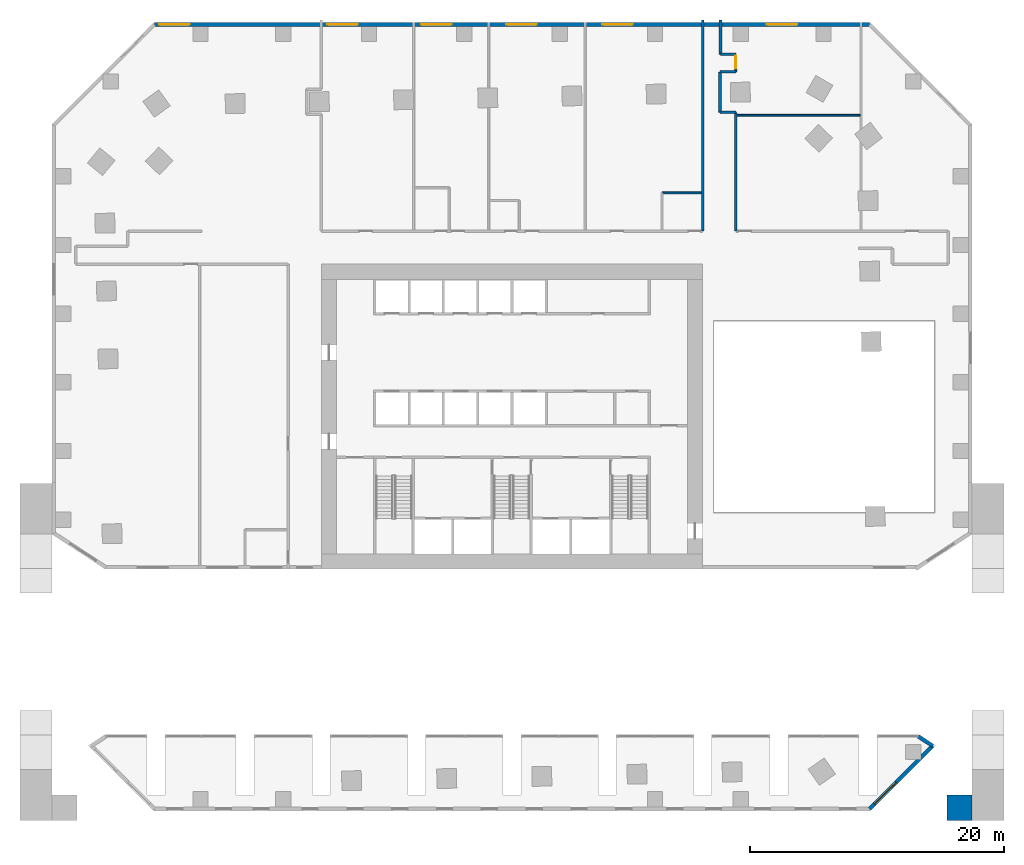
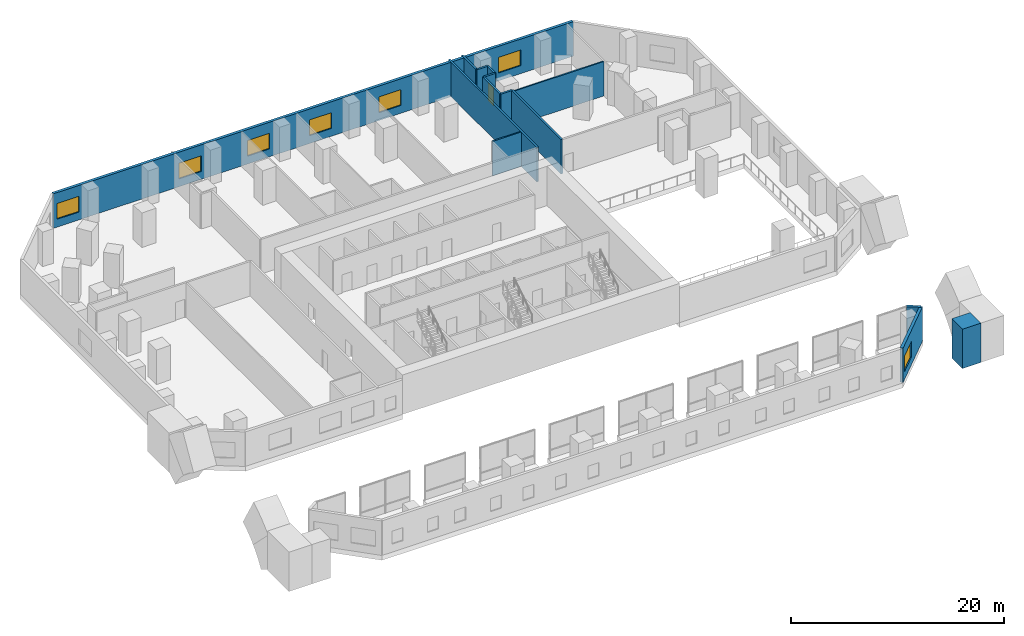
# One storey, part 9 of 12: 14 walls, 7 windows, 1 door, 8 openings.
"""IFC4 building model written with IfcOpenShell, lengths in metres."""

from ifc_helpers import new_model, si_unit, direction, frame, frame_2d, origin, place, context, subcontext, project, spatial, rectangle, extrude, material, layer, layer_set, type_object, element, fill, save


model = new_model("IFC4")

# Units and contexts
model_context = context("Model", 3, precision=1e-05, world=origin(), true_north=direction((0.0, 1.0)))
body_context = subcontext(model_context, "Body", "Model", "MODEL_VIEW")
ifc_project = project(units=[si_unit("LENGTHUNIT", "METRE"), si_unit("AREAUNIT", "SQUARE_METRE"), si_unit("VOLUMEUNIT", "CUBIC_METRE"), si_unit("PLANEANGLEUNIT", "RADIAN"), si_unit("MASSUNIT", "GRAM", prefix="KILO")], contexts=[model_context])

# Site, building, storey
site_placement = place(None, origin())
site = spatial("IfcSite", under=ifc_project, at=site_placement, CompositionType="ELEMENT")
building_placement = place(site_placement, origin())
building = spatial("IfcBuilding", under=site, at=building_placement, Name="Mangrove Gate Tower", CompositionType="ELEMENT")
storey_placement = place(building_placement, frame((0.0, 0.0, 16.0)))
storey = spatial("IfcBuildingStorey", under=building, at=storey_placement, Name="L03", CompositionType="ELEMENT", Elevation=16.0)

# Walls
ifc_material_1 = material(Name="Gypsum board on steel stud, EI 60", Category="steel")
ifc_layer_1 = layer(ifc_material_1, 0.199951171875)
ifc_layer_set_1 = layer_set([ifc_layer_1], Name="Corridor wall EI 60")
wall_type_1 = type_object("IfcWallType", Name="Corridor wall EI 60", PredefinedType="PARTITIONING", material=ifc_layer_set_1)
wall_1_placement = place(storey_placement, frame((15.0, 14.60009765625, 0.0), z_axis=(0.0, 0.0, 1.0), x_axis=(0.0, 1.0, 0.0)))
element("IfcWall", 1, at=wall_1_placement, inside=storey, type_object=wall_type_1, Name="WALL-L03-022", PredefinedType="PARTITIONING", context=body_context, shape_type="SweptSolid", body=[
    extrude(rectangle(XDim=16.599853515625, YDim=0.199951171875, at=frame_2d((8.2998046875, 0.0))), origin(), (0.0, 0.0, 1.0), 3.949951171875),
])
wall_2_placement = place(storey_placement, frame((17.60009765625, 14.60009765625, 0.0), z_axis=(0.0, 0.0, 1.0), x_axis=(0.0, 1.0, 0.0)))
element("IfcWall", 2, at=wall_2_placement, inside=storey, type_object=wall_type_1, Name="WALL-L03-024", PredefinedType="PARTITIONING", context=body_context, shape_type="SweptSolid", body=[
    extrude(rectangle(XDim=9.325927734375, YDim=0.199951171875, at=frame_2d((4.6630859375, 0.0))), origin(), (0.0, 0.0, 1.0), 3.949951171875),
])
wall_3_placement = place(storey_placement, frame((16.360107421875, 23.926025390625, 0.0), z_axis=(0.0, 0.0, 1.0), x_axis=(0.0, 1.0, 0.0)))
element("IfcWall", 3, at=wall_3_placement, inside=storey, type_object=wall_type_1, Name="WALL-L03-032", PredefinedType="PARTITIONING", context=body_context, shape_type="SweptSolid", body=[
    extrude(rectangle(XDim=3.199951171875, YDim=0.199951171875, at=frame_2d((1.60009765625, 0.0))), origin(), (0.0, 0.0, 1.0), 3.949951171875),
])
wall_4_placement = place(storey_placement, frame((16.364013671875, 23.929931640625, 0.0), z_axis=(0.0, 0.0, 1.0), x_axis=(1.0, 0.0, 0.0)))
element("IfcWall", 4, at=wall_4_placement, inside=storey, type_object=wall_type_1, Name="WALL-L03-033", PredefinedType="PARTITIONING", context=body_context, shape_type="SweptSolid", body=[
    extrude(rectangle(XDim=1.236083984375, YDim=0.199951171875, at=frame_2d((0.6181640625, 0.0))), origin(), (0.0, 0.0, 1.0), 3.949951171875),
])

# Wall, opening, door
wall_5_placement = place(storey_placement, frame((17.60009765625, 27.1259765625, 0.0), z_axis=(0.0, 0.0, 1.0), x_axis=(0.0, 1.0, 0.0)))
wall_5 = element("IfcWall", 5, at=wall_5_placement, inside=storey, type_object=wall_type_1, Name="WALL-L03-036", PredefinedType="PARTITIONING", context=body_context, shape_type="SweptSolid", body=[
    extrude(rectangle(XDim=1.3740234375, YDim=0.199951171875, at=frame_2d((0.68701171875, 0.0))), origin(), (0.0, 0.0, 1.0), 3.949951171875),
])
opening_1_placement = place(wall_5_placement, frame((0.27392578125, 0.0, 0.0)))
opening_1 = element("IfcOpeningElement", 6, at=opening_1_placement, cuts=wall_5, Name="Opening AD", PredefinedType="OPENING", context=body_context, shape_type="SweptSolid", body=[
    extrude(rectangle(XDim=1.0, YDim=2.10009765625, at=frame_2d((0.5, 1.050048828125))), frame((0.0, 0.10986328125, 0.0), z_axis=(0.0, -1.0, 0.0), x_axis=(1.0, 0.0, 0.0)), (0.0, 0.0, 1.0), 0.219970703125),
])
ifc_material_2 = material(Name="Timber door leaf", Category="wood")
door_type = type_object("IfcDoorType", Name="Amenity door 1000", OperationType="SINGLE_SWING_LEFT", PredefinedType="DOOR", material=ifc_material_2)
door_placement = place(opening_1_placement, origin())
door = element("IfcDoor", 7, at=door_placement, inside=storey, type_object=door_type, Name="DOOR-L03-POD-08b", OperationType="SINGLE_SWING_LEFT", OverallHeight=2.10009765625, OverallWidth=1.0, PredefinedType="DOOR", context=body_context, shape_type="SweptSolid", body=[
    extrude(rectangle(XDim=1.0, YDim=2.10009765625, at=frame_2d((0.5, 1.050048828125))), frame((0.0, 0.02490234375, 0.0), z_axis=(0.0, -1.0, 0.0), x_axis=(1.0, 0.0, 0.0)), (0.0, 0.0, 1.0), 0.050048828125),
])
fill(opening_1, door)

# Walls
wall_6_placement = place(storey_placement, frame((16.364013671875, 27.1298828125, 0.0), z_axis=(0.0, 0.0, 1.0), x_axis=(1.0, 0.0, 0.0)))
element("IfcWall", 8, at=wall_6_placement, inside=storey, type_object=wall_type_1, Name="WALL-L03-037", PredefinedType="PARTITIONING", context=body_context, shape_type="SweptSolid", body=[
    extrude(rectangle(XDim=1.236083984375, YDim=0.199951171875, at=frame_2d((0.6181640625, 0.0))), origin(), (0.0, 0.0, 1.0), 3.949951171875),
])
wall_7_placement = place(storey_placement, frame((16.39990234375, 28.5, 0.0), z_axis=(0.0, 0.0, 1.0), x_axis=(1.0, 0.0, 0.0)))
element("IfcWall", 9, at=wall_7_placement, inside=storey, type_object=wall_type_1, Name="WALL-L03-038", PredefinedType="PARTITIONING", context=body_context, shape_type="SweptSolid", body=[
    extrude(rectangle(XDim=1.2001953125, YDim=0.199951171875, at=frame_2d((0.60009765625, 0.0))), origin(), (0.0, 0.0, 1.0), 3.949951171875),
])
wall_8_placement = place(storey_placement, frame((16.39990234375, 28.5, 0.0), z_axis=(0.0, 0.0, 1.0), x_axis=(0.0, 1.0, 0.0)))
element("IfcWall", 10, at=wall_8_placement, inside=storey, type_object=wall_type_1, Name="WALL-L03-039", PredefinedType="PARTITIONING", context=body_context, shape_type="SweptSolid", body=[
    extrude(rectangle(XDim=2.699951171875, YDim=0.199951171875, at=frame_2d((1.35009765625, 0.0))), origin(), (0.0, 0.0, 1.0), 3.949951171875),
])
ifc_material_3 = material(Name="Limestone", Category="masonry")
ifc_layer_2 = layer(ifc_material_3, 0.0400390625, Name="Limestone cladding")
ifc_material_4 = material(Name="Ventilated air gap")
ifc_layer_3 = layer(ifc_material_4, 0.0400390625, Name="Ventilated cavity")
ifc_material_5 = material(Name="Mineral wool insulation")
ifc_layer_4 = layer(ifc_material_5, 0.06005859375, Name="Insulation")
ifc_material_6 = material(Name="Breather membrane")
ifc_layer_5 = layer(ifc_material_6, 0.001953125, Name="Breather membrane")
ifc_material_7 = material(Name="Concrete C20/25 blockwork", Category="masonry")
ifc_layer_6 = layer(ifc_material_7, 0.14990234375, Name="Blockwork backing wall")
ifc_material_8 = material(Name="Gypsum plaster")
ifc_layer_7 = layer(ifc_material_8, 0.008056640625, Name="Internal plaster")
ifc_layer_set_2 = layer_set([ifc_layer_2, ifc_layer_3, ifc_layer_4, ifc_layer_5, ifc_layer_6, ifc_layer_7], Name="External wall 300 limestone cladding")
wall_type_2 = type_object("IfcWallType", Name="External wall 300 limestone cladding", PredefinedType="SOLIDWALL", material=ifc_layer_set_2)
wall_9_placement = place(storey_placement, frame((33.093017578125, -25.89501953125, 0.0), z_axis=(0.0, 0.0, 1.0), x_axis=(-0.83660579794, 0.547805384105, 0.0)))
element("IfcWall", 11, at=wall_9_placement, inside=storey, type_object=wall_type_2, Name="WALL-L03-N0", PredefinedType="SOLIDWALL", context=body_context, shape_type="SweptSolid", body=[
    extrude(rectangle(XDim=1.360107421875, YDim=0.300048828125, at=frame_2d((0.68017578125, 0.0))), origin(), (0.0, 0.0, 1.0), 3.949951171875),
])

# Wall, opening, window
wall_10_placement = place(storey_placement, frame((28.137939453125, -30.85009765625, 0.0), z_axis=(0.0, 0.0, 1.0), x_axis=(0.707106781187, 0.707106781187, 0.0)))
wall_10 = element("IfcWall", 12, at=wall_10_placement, inside=storey, type_object=wall_type_2, Name="WALL-L03-E5", PredefinedType="SOLIDWALL", context=body_context, shape_type="SweptSolid", body=[
    extrude(rectangle(XDim=7.007568359375, YDim=0.300048828125, at=frame_2d((3.50390625, 0.0))), origin(), (0.0, 0.0, 1.0), 3.949951171875),
])
opening_2_placement = place(wall_10_placement, frame((0.551025390625, 0.0, 0.89990234375)))
opening_2 = element("IfcOpeningElement", 13, at=opening_2_placement, cuts=wall_10, Name="Opening W3", PredefinedType="OPENING", context=body_context, shape_type="SweptSolid", body=[
    extrude(rectangle(XDim=2.39990234375, YDim=1.800048828125, at=frame_2d((1.199951171875, 0.89990234375))), frame((0.0, 0.159912109375, 0.0), z_axis=(0.0, -1.0, 0.0), x_axis=(1.0, 0.0, 0.0)), (0.0, 0.0, 1.0), 0.320068359375),
])
ifc_material_9 = material(Name="Aluminium frame with double-glazed low-e glass", Category="aluminium")
window_type = type_object("IfcWindowType", Name="Podium window 2400x1800", PartitioningType="DOUBLE_PANEL_VERTICAL", PredefinedType="WINDOW", material=ifc_material_9)
window_1_placement = place(opening_2_placement, origin())
window_1 = element("IfcWindow", 14, at=window_1_placement, inside=storey, type_object=window_type, Name="WIN-L03-E5-1", OverallHeight=1.800048828125, OverallWidth=2.39990234375, PartitioningType="DOUBLE_PANEL_VERTICAL", PredefinedType="WINDOW", context=body_context, shape_type="SweptSolid", body=[
    extrude(rectangle(XDim=2.39990234375, YDim=1.800048828125, at=frame_2d((1.199951171875, 0.89990234375))), frame((0.0, 0.030029296875, 0.0), z_axis=(0.0, -1.0, 0.0), x_axis=(1.0, 0.0, 0.0)), (0.0, 0.0, 1.0), 0.06005859375),
])
fill(opening_2, window_1)

# Wall, openings, windows
wall_11_placement = place(storey_placement, frame((28.137939453125, 30.85009765625, 0.0), z_axis=(0.0, 0.0, 1.0), x_axis=(-1.0, 0.0, 0.0)))
wall_11 = element("IfcWall", 15, at=wall_11_placement, inside=storey, type_object=wall_type_2, Name="WALL-L03-N12", PredefinedType="SOLIDWALL", context=body_context, shape_type="SweptSolid", body=[
    extrude(rectangle(XDim=56.27587890625, YDim=0.300048828125, at=frame_2d((28.137939453125, 0.0))), origin(), (0.0, 0.0, 1.0), 3.949951171875),
])
opening_3_placement = place(wall_11_placement, frame((5.68798828125, 0.0, 0.89990234375)))
opening_3 = element("IfcOpeningElement", 16, at=opening_3_placement, cuts=wall_11, Name="Opening W3", PredefinedType="OPENING", context=body_context, shape_type="SweptSolid", body=[
    extrude(rectangle(XDim=2.39990234375, YDim=1.800048828125, at=frame_2d((1.199951171875, 0.89990234375))), frame((0.0, 0.159912109375, 0.0), z_axis=(0.0, -1.0, 0.0), x_axis=(1.0, 0.0, 0.0)), (0.0, 0.0, 1.0), 0.320068359375),
])
opening_4_placement = place(wall_11_placement, frame((18.637939453125, 0.0, 0.89990234375)))
opening_4 = element("IfcOpeningElement", 17, at=opening_4_placement, cuts=wall_11, Name="Opening W3", PredefinedType="OPENING", context=body_context, shape_type="SweptSolid", body=[
    extrude(rectangle(XDim=2.39990234375, YDim=1.800048828125, at=frame_2d((1.199951171875, 0.89990234375))), frame((0.0, 0.159912109375, 0.0), z_axis=(0.0, -1.0, 0.0), x_axis=(1.0, 0.0, 0.0)), (0.0, 0.0, 1.0), 0.320068359375),
])
opening_5_placement = place(wall_11_placement, frame((26.177978515625, 0.0, 0.89990234375)))
opening_5 = element("IfcOpeningElement", 18, at=opening_5_placement, cuts=wall_11, Name="Opening W3", PredefinedType="OPENING", context=body_context, shape_type="SweptSolid", body=[
    extrude(rectangle(XDim=2.39990234375, YDim=1.800048828125, at=frame_2d((1.199951171875, 0.89990234375))), frame((0.0, 0.159912109375, 0.0), z_axis=(0.0, -1.0, 0.0), x_axis=(1.0, 0.0, 0.0)), (0.0, 0.0, 1.0), 0.320068359375),
])
opening_6_placement = place(wall_11_placement, frame((32.883056640625, 0.0, 0.89990234375)))
opening_6 = element("IfcOpeningElement", 19, at=opening_6_placement, cuts=wall_11, Name="Opening W3", PredefinedType="OPENING", context=body_context, shape_type="SweptSolid", body=[
    extrude(rectangle(XDim=2.39990234375, YDim=1.800048828125, at=frame_2d((1.199951171875, 0.89990234375))), frame((0.0, 0.159912109375, 0.0), z_axis=(0.0, -1.0, 0.0), x_axis=(1.0, 0.0, 0.0)), (0.0, 0.0, 1.0), 0.320068359375),
])
opening_7_placement = place(wall_11_placement, frame((40.262939453125, 0.0, 0.89990234375)))
opening_7 = element("IfcOpeningElement", 20, at=opening_7_placement, cuts=wall_11, Name="Opening W3", PredefinedType="OPENING", context=body_context, shape_type="SweptSolid", body=[
    extrude(rectangle(XDim=2.39990234375, YDim=1.800048828125, at=frame_2d((1.199951171875, 0.89990234375))), frame((0.0, 0.159912109375, 0.0), z_axis=(0.0, -1.0, 0.0), x_axis=(1.0, 0.0, 0.0)), (0.0, 0.0, 1.0), 0.320068359375),
])
opening_8_placement = place(wall_11_placement, frame((53.488037109375, 0.0, 0.89990234375)))
opening_8 = element("IfcOpeningElement", 21, at=opening_8_placement, cuts=wall_11, Name="Opening W3", PredefinedType="OPENING", context=body_context, shape_type="SweptSolid", body=[
    extrude(rectangle(XDim=2.39990234375, YDim=1.800048828125, at=frame_2d((1.199951171875, 0.89990234375))), frame((0.0, 0.159912109375, 0.0), z_axis=(0.0, -1.0, 0.0), x_axis=(1.0, 0.0, 0.0)), (0.0, 0.0, 1.0), 0.320068359375),
])
window_2_placement = place(opening_3_placement, origin())
window_2 = element("IfcWindow", 22, at=window_2_placement, inside=storey, type_object=window_type, Name="WIN-L03-N12-1", OverallHeight=1.800048828125, OverallWidth=2.39990234375, PartitioningType="DOUBLE_PANEL_VERTICAL", PredefinedType="WINDOW", context=body_context, shape_type="SweptSolid", body=[
    extrude(rectangle(XDim=2.39990234375, YDim=1.800048828125, at=frame_2d((1.199951171875, 0.89990234375))), frame((0.0, 0.030029296875, 0.0), z_axis=(0.0, -1.0, 0.0), x_axis=(1.0, 0.0, 0.0)), (0.0, 0.0, 1.0), 0.06005859375),
])
fill(opening_3, window_2)
window_3_placement = place(opening_4_placement, origin())
window_3 = element("IfcWindow", 23, at=window_3_placement, inside=storey, type_object=window_type, Name="WIN-L03-N12-2", OverallHeight=1.800048828125, OverallWidth=2.39990234375, PartitioningType="DOUBLE_PANEL_VERTICAL", PredefinedType="WINDOW", context=body_context, shape_type="SweptSolid", body=[
    extrude(rectangle(XDim=2.39990234375, YDim=1.800048828125, at=frame_2d((1.199951171875, 0.89990234375))), frame((0.0, 0.030029296875, 0.0), z_axis=(0.0, -1.0, 0.0), x_axis=(1.0, 0.0, 0.0)), (0.0, 0.0, 1.0), 0.06005859375),
])
fill(opening_4, window_3)
window_4_placement = place(opening_5_placement, origin())
window_4 = element("IfcWindow", 24, at=window_4_placement, inside=storey, type_object=window_type, Name="WIN-L03-N12-3", OverallHeight=1.800048828125, OverallWidth=2.39990234375, PartitioningType="DOUBLE_PANEL_VERTICAL", PredefinedType="WINDOW", context=body_context, shape_type="SweptSolid", body=[
    extrude(rectangle(XDim=2.39990234375, YDim=1.800048828125, at=frame_2d((1.199951171875, 0.89990234375))), frame((0.0, 0.030029296875, 0.0), z_axis=(0.0, -1.0, 0.0), x_axis=(1.0, 0.0, 0.0)), (0.0, 0.0, 1.0), 0.06005859375),
])
fill(opening_5, window_4)
window_5_placement = place(opening_6_placement, origin())
window_5 = element("IfcWindow", 25, at=window_5_placement, inside=storey, type_object=window_type, Name="WIN-L03-N12-4", OverallHeight=1.800048828125, OverallWidth=2.39990234375, PartitioningType="DOUBLE_PANEL_VERTICAL", PredefinedType="WINDOW", context=body_context, shape_type="SweptSolid", body=[
    extrude(rectangle(XDim=2.39990234375, YDim=1.800048828125, at=frame_2d((1.199951171875, 0.89990234375))), frame((0.0, 0.030029296875, 0.0), z_axis=(0.0, -1.0, 0.0), x_axis=(1.0, 0.0, 0.0)), (0.0, 0.0, 1.0), 0.06005859375),
])
fill(opening_6, window_5)
window_6_placement = place(opening_7_placement, origin())
window_6 = element("IfcWindow", 26, at=window_6_placement, inside=storey, type_object=window_type, Name="WIN-L03-N12-5", OverallHeight=1.800048828125, OverallWidth=2.39990234375, PartitioningType="DOUBLE_PANEL_VERTICAL", PredefinedType="WINDOW", context=body_context, shape_type="SweptSolid", body=[
    extrude(rectangle(XDim=2.39990234375, YDim=1.800048828125, at=frame_2d((1.199951171875, 0.89990234375))), frame((0.0, 0.030029296875, 0.0), z_axis=(0.0, -1.0, 0.0), x_axis=(1.0, 0.0, 0.0)), (0.0, 0.0, 1.0), 0.06005859375),
])
fill(opening_7, window_6)
window_7_placement = place(opening_8_placement, origin())
window_7 = element("IfcWindow", 27, at=window_7_placement, inside=storey, type_object=window_type, Name="WIN-L03-N12-6", OverallHeight=1.800048828125, OverallWidth=2.39990234375, PartitioningType="DOUBLE_PANEL_VERTICAL", PredefinedType="WINDOW", context=body_context, shape_type="SweptSolid", body=[
    extrude(rectangle(XDim=2.39990234375, YDim=1.800048828125, at=frame_2d((1.199951171875, 0.89990234375))), frame((0.0, 0.030029296875, 0.0), z_axis=(0.0, -1.0, 0.0), x_axis=(1.0, 0.0, 0.0)), (0.0, 0.0, 1.0), 0.06005859375),
])
fill(opening_8, window_7)

# Walls
ifc_material_10 = material(Name="Gypsum board on steel stud, EI 60", Category="steel")
ifc_layer_8 = layer(ifc_material_10, 0.14990234375)
ifc_layer_set_3 = layer_set([ifc_layer_8], Name="Party wall 150 EI 60")
wall_type_3 = type_object("IfcWallType", Name="Party wall 150 EI 60", PredefinedType="PARTITIONING", material=ifc_layer_set_3)
wall_12_placement = place(storey_placement, frame((11.800048828125, 17.60009765625, 0.0), z_axis=(0.0, 0.0, 1.0), x_axis=(1.0, 0.0, 0.0)))
element("IfcWall", 28, at=wall_12_placement, inside=storey, type_object=wall_type_3, Name="WALL-L03-027", PredefinedType="PARTITIONING", context=body_context, shape_type="SweptSolid", body=[
    extrude(rectangle(XDim=3.099853515625, YDim=0.14990234375, at=frame_2d((1.5498046875, 0.0))), origin(), (0.0, 0.0, 1.0), 3.949951171875),
])
wall_13_placement = place(storey_placement, frame((17.699951171875, 23.7099609375, 0.0), z_axis=(0.0, 0.0, 1.0), x_axis=(1.0, 0.0, 0.0)))
element("IfcWall", 29, at=wall_13_placement, inside=storey, type_object=wall_type_3, Name="WALL-L03-029", PredefinedType="PARTITIONING", context=body_context, shape_type="SweptSolid", body=[
    extrude(rectangle(XDim=9.675048828125, YDim=0.14990234375, at=frame_2d((4.83740234375, 0.0))), origin(), (0.0, 0.0, 1.0), 3.949951171875),
])
ifc_layer_9 = layer(ifc_material_3, 0.06005859375, Name="Limestone cladding")
ifc_material_11 = material(Name="Concrete C40/50", Category="concrete")
ifc_layer_10 = layer(ifc_material_11, 2.340087890625, Name="Gate core wall")
ifc_layer_11 = layer(ifc_material_3, 0.10009765625, Name="Limestone reveal lining")
ifc_layer_set_4 = layer_set([ifc_layer_9, ifc_layer_10, ifc_layer_11], Name="Stone gate wall 2500")
wall_type_4 = type_object("IfcWallType", Name="Stone gate wall 2500", PredefinedType="STANDARD", material=ifc_layer_set_4)
wall_14_placement = place(storey_placement, frame((34.199951171875, -30.75, 0.0), z_axis=(0.0, 0.0, 1.0), x_axis=(1.0, 0.0, 0.0)))
element("IfcWall", 30, at=wall_14_placement, inside=storey, type_object=wall_type_4, Name="ARCH RETURN E", PredefinedType="STANDARD", context=body_context, shape_type="SweptSolid", body=[
    extrude(rectangle(XDim=2.0, YDim=2.0, at=frame_2d((1.0, 0.0))), origin(), (0.0, 0.0, 1.0), 4.5),
])

save(model, "model.ifc")
